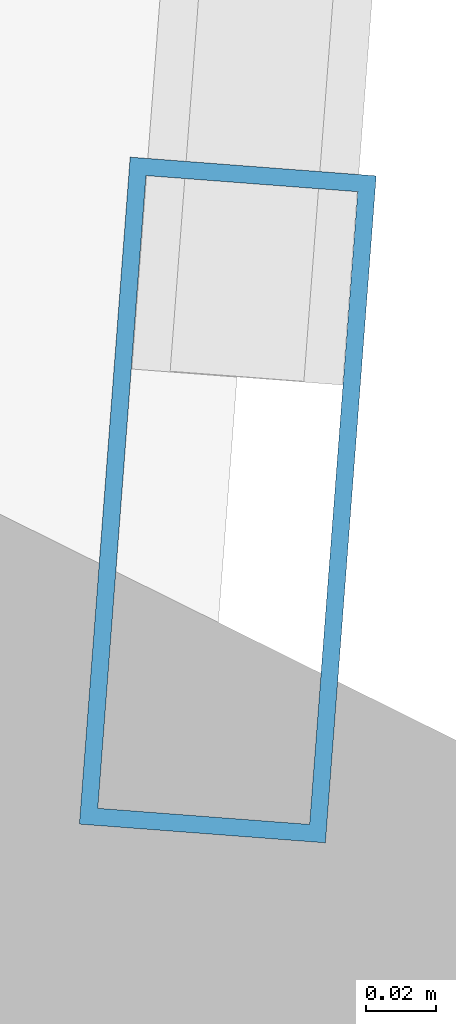
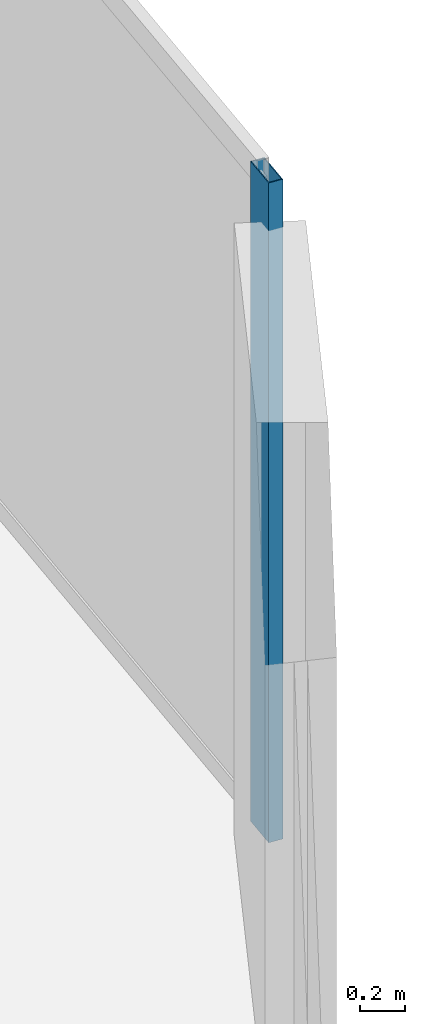
# One storey, part 12 of 25: 1 member, 1 element without a shape of its own.
"""IFC4 building model written with IfcOpenShell, lengths in metres."""

import ifcopenshell
import ifcopenshell.guid

model = None  # the IFC model being written
_history = None  # IfcOwnerHistory: only IFC2X3 demands one
_inside = {}  # id of a spatial element -> (the spatial element, [elements in it])
_under = {}  # id of a project, library or spatial element -> (it, [spatial elements below it])
_declared = {}  # id of a project -> (the project, [libraries it declares])
_typed = {}  # id of a type object -> (the type object, [elements of that type])
_made_of = {}  # id of a material, layer set ... -> (it, [elements and type objects made of it])


def new_model(schema):
    """Start an empty IFC model of exactly this schema.

    Asked for "IFC4X3", IfcOpenShell would pick the latest addendum, in which some entities
    have other attributes; the version numbers below select the first issue.
    IFC2X3 requires an IfcOwnerHistory on every rooted entity: one is made here for all.
    """
    global model, _history
    if schema == "IFC4X3":
        model = ifcopenshell.file(schema_version=(4, 3, 0, 0))
    else:
        model = ifcopenshell.file(schema=schema)
    _inside.clear()
    _under.clear()
    _declared.clear()
    _typed.clear()
    _made_of.clear()
    _history = None
    if model.schema == "IFC2X3":
        org = make("IfcOrganization", Name="unknown")
        user = make(
            "IfcPersonAndOrganization",
            ThePerson=make("IfcPerson", FamilyName="unknown"),
            TheOrganization=org,
        )
        app = make(
            "IfcApplication",
            ApplicationDeveloper=org,
            Version="unknown",
            ApplicationFullName="unknown",
            ApplicationIdentifier="unknown",
        )
        _history = make(
            "IfcOwnerHistory",
            OwningUser=user,
            OwningApplication=app,
            ChangeAction="ADDED",
            CreationDate=0,
        )
    return model


def make(cls, **values):
    """One entity of the class cls with the attributes given. An attribute that is None is left unset."""
    return model.create_entity(
        cls, **{name: value for name, value in values.items() if value is not None}
    )


def rooted(cls, **values):
    """An entity with a GlobalId (a new one), such as an element, a storey or a relation."""
    return make(cls, GlobalId=ifcopenshell.guid.new(), OwnerHistory=_history, **values)


def si_unit(unit_type, name, prefix=None):
    """IfcSIUnit, for example si_unit("LENGTHUNIT", "METRE", prefix="MILLI")."""
    return make("IfcSIUnit", UnitType=unit_type, Prefix=prefix, Name=name)


def assignment(units):
    """IfcUnitAssignment: the units of a project."""
    return None if units is None else make("IfcUnitAssignment", Units=units)


def point(xyz):
    """IfcCartesianPoint."""
    return None if xyz is None else make("IfcCartesianPoint", Coordinates=xyz)


def direction(xyz):
    """IfcDirection."""
    return None if xyz is None else make("IfcDirection", DirectionRatios=xyz)


def frame(location, z_axis=None, x_axis=None):
    """IfcAxis2Placement3D, a coordinate frame: its origin and axes. An axis left out is left unset."""
    return make(
        "IfcAxis2Placement3D",
        Location=point(location),
        Axis=direction(z_axis),
        RefDirection=direction(x_axis),
    )


def frame_2d(location, x_axis=None):
    """IfcAxis2Placement2D, a coordinate frame in the plane: its origin and x axis."""
    return make(
        "IfcAxis2Placement2D", Location=point(location), RefDirection=direction(x_axis)
    )


def origin():
    """The frame at (0, 0, 0) with its axes left unset."""
    return frame((0.0, 0.0, 0.0))


def origin_2d():
    """The frame at (0, 0) in the plane with its x axis left unset."""
    return frame_2d((0.0, 0.0))


def place(relative_to, where):
    """IfcLocalPlacement: puts the frame where relative to a parent placement (None: the world)."""
    return make(
        "IfcLocalPlacement", PlacementRelTo=relative_to, RelativePlacement=where
    )


def context(
    kind, dimensions, precision=None, world=None, true_north=None, identifier=None
):
    """IfcGeometricRepresentationContext, for example the 3D "Model" context."""
    return make(
        "IfcGeometricRepresentationContext",
        ContextIdentifier=identifier,
        ContextType=kind,
        CoordinateSpaceDimension=dimensions,
        Precision=precision,
        WorldCoordinateSystem=world,
        TrueNorth=true_north,
    )


def subcontext(parent, identifier, kind, view, scale=None):
    """IfcGeometricRepresentationSubContext, for example "Body" below "Model"."""
    return make(
        "IfcGeometricRepresentationSubContext",
        ContextIdentifier=identifier,
        ContextType=kind,
        ParentContext=parent,
        TargetScale=scale,
        TargetView=view,
    )


def project(units=None, contexts=None):
    """IfcProject with its units and contexts."""
    return rooted(
        "IfcProject",
        Name="project",
        RepresentationContexts=contexts,
        UnitsInContext=assignment(units),
    )


def spatial(cls, under=None, at=None, **own):
    """A site, building, storey or space (cls), placed at a placement, below another one or the project."""
    s = rooted(cls, ObjectPlacement=at, **own)
    if under is not None:
        _under.setdefault(under.id(), (under, []))[1].append(s)
    return s


def profile(cls, at=None, kind="AREA", **sizes):
    """A parametric profile (cls). Its sizes go by their IFC names, for example OverallWidth=200.0."""
    return make(cls, ProfileType=kind, Position=at, **sizes)


def hollow_rectangle(**sizes):
    """IfcRectangleHollowProfileDef."""
    return profile("IfcRectangleHollowProfileDef", **sizes)


def extrude(swept, where, along, depth):
    """IfcExtrudedAreaSolid: the profile swept, set in the frame where, extruded along a direction by depth."""
    return make(
        "IfcExtrudedAreaSolid",
        SweptArea=swept,
        Position=where,
        ExtrudedDirection=direction(along),
        Depth=depth,
    )


def shape(context_of_items, identifier, shape_type, items):
    """IfcShapeRepresentation: the items that make up one representation, for example the "Body"."""
    return make(
        "IfcShapeRepresentation",
        ContextOfItems=context_of_items,
        RepresentationIdentifier=identifier,
        RepresentationType=shape_type,
        Items=items,
    )


def source(mapping_origin, context_of_items, identifier, shape_type, items):
    """IfcRepresentationMap: a shape defined once, which mapped items show again and again."""
    return make(
        "IfcRepresentationMap",
        MappingOrigin=mapping_origin,
        MappedRepresentation=shape(context_of_items, identifier, shape_type, items),
    )


def transform(
    local_origin,
    x_axis=None,
    y_axis=None,
    z_axis=None,
    scale=None,
    scale2=None,
    scale3=None,
    uniform=True,
):
    """IfcCartesianTransformationOperator3D, or its non-uniform kind. x_axis, y_axis, z_axis: its Axis1, 2, 3."""
    if uniform:
        return make(
            "IfcCartesianTransformationOperator3D",
            Axis1=direction(x_axis),
            Axis2=direction(y_axis),
            LocalOrigin=point(local_origin),
            Scale=scale,
            Axis3=direction(z_axis),
        )
    return make(
        "IfcCartesianTransformationOperator3DnonUniform",
        Axis1=direction(x_axis),
        Axis2=direction(y_axis),
        LocalOrigin=point(local_origin),
        Scale=scale,
        Axis3=direction(z_axis),
        Scale2=scale2,
        Scale3=scale3,
    )


def mapped(mapping_source, mapping_target):
    """IfcMappedItem: shows the shape of a source again, moved by a transform."""
    return make(
        "IfcMappedItem", MappingSource=mapping_source, MappingTarget=mapping_target
    )


def material(Name=None, Category=None):
    """IfcMaterial."""
    return make("IfcMaterial", Name=Name, Category=Category)


def layer(
    of_material, thickness, ventilated=None, Name=None, Category=None, Priority=None
):
    """IfcMaterialLayer: one layer of a wall or slab, of a material (None: an air gap)."""
    return make(
        "IfcMaterialLayer",
        Material=of_material,
        LayerThickness=thickness,
        IsVentilated=ventilated,
        Name=Name,
        Category=Category,
        Priority=Priority,
    )


def layer_set(layers, Name=None):
    """IfcMaterialLayerSet."""
    return make("IfcMaterialLayerSet", MaterialLayers=layers, LayerSetName=Name)


def material_profile(
    of_material, cross_section, Name=None, Category=None, Priority=None
):
    """IfcMaterialProfile: a cross section and its material."""
    return make(
        "IfcMaterialProfile",
        Name=Name,
        Material=of_material,
        Profile=cross_section,
        Priority=Priority,
        Category=Category,
    )


def profile_set(profiles, Name=None, composite=None):
    """IfcMaterialProfileSet."""
    return make(
        "IfcMaterialProfileSet",
        Name=Name,
        MaterialProfiles=profiles,
        CompositeProfile=composite,
    )


def made_of(thing, what):
    """Note that an element or type object is made of a material, layer set ...; save() writes the relation."""
    if what is not None:
        _made_of.setdefault(what.id(), (what, []))[1].append(thing)
    return thing


def type_object(cls, material=None, **own):
    """A type object (cls), such as IfcWallType, which elements share."""
    return made_of(rooted(cls, **own), material)


def element(
    cls,
    number,
    at=None,
    inside=None,
    cuts=None,
    type_object=None,
    material=None,
    context=None,
    identifier="Body",
    shape_type=None,
    held_by="IfcProductDefinitionShape",
    body=None,
    shapes=None,
    **own,
):
    """One element of the class cls, such as IfcWall. Its Tag is "e" and its number.

    at: its placement. inside: the storey or other place that contains it. cuts: it is an
    opening in that element (IfcRelVoidsElement). A single representation is given by context,
    identifier, shape_type and body (its items); several are given by shapes. held_by: the class
    of the entity that holds the representations. save() writes the other relations.
    """
    e = rooted(cls, Tag="e%d" % number, ObjectPlacement=at, **own)
    if body is not None:
        shapes = [shape(context, identifier, shape_type, body)]
    if shapes is not None:
        e.Representation = make(held_by, Representations=shapes)
    if inside is not None:
        _inside.setdefault(inside.id(), (inside, []))[1].append(e)
    if cuts is not None:
        rooted(
            "IfcRelVoidsElement", RelatingBuildingElement=cuts, RelatedOpeningElement=e
        )
    if type_object is not None:
        _typed.setdefault(type_object.id(), (type_object, []))[1].append(e)
    return made_of(e, material)


def aggregate(whole, parts):
    """IfcRelAggregates: a whole, such as a stair, and the parts it consists of."""
    return rooted("IfcRelAggregates", RelatingObject=whole, RelatedObjects=parts)


def save(model, path):
    """Write the relations noted so far, then the file.

    IfcRelAggregates (storeys below a building ...), IfcRelContainedInSpatialStructure (elements
    in a storey), IfcRelDefinesByType, IfcRelAssociatesMaterial and IfcRelDeclares: one each for
    every whole, place, type object, material and project.
    """
    for whole, parts in _under.values():
        aggregate(whole, parts)
    for where, things in _inside.values():
        rooted(
            "IfcRelContainedInSpatialStructure",
            RelatedElements=things,
            RelatingStructure=where,
        )
    for kind, things in _typed.values():
        rooted("IfcRelDefinesByType", RelatedObjects=things, RelatingType=kind)
    for what, things in _made_of.values():
        rooted("IfcRelAssociatesMaterial", RelatedObjects=things, RelatingMaterial=what)
    for by, libraries in _declared.values():
        rooted("IfcRelDeclares", RelatingContext=by, RelatedDefinitions=libraries)
    model.write(path)


model = new_model("IFC4")

# Units and contexts
model_context = context("Model", 3, precision=1e-05, world=origin(), true_north=direction((0.0, 1.0)))
body_context = subcontext(model_context, "Body", "Model", "MODEL_VIEW")
ifc_project = project(units=[si_unit("LENGTHUNIT", "METRE"), si_unit("AREAUNIT", "SQUARE_METRE"), si_unit("VOLUMEUNIT", "CUBIC_METRE"), si_unit("PLANEANGLEUNIT", "RADIAN"), si_unit("MASSUNIT", "GRAM", prefix="KILO")], contexts=[model_context])

# Site, building, storey
site_placement = place(None, origin())
site = spatial("IfcSite", under=ifc_project, at=site_placement, CompositionType="ELEMENT")
building_placement = place(site_placement, origin())
building = spatial("IfcBuilding", under=site, at=building_placement, Name="Solvirekh Grand Hotel", CompositionType="ELEMENT")
storey_placement = place(building_placement, frame((0.0, 0.0, 60.800048828125)))
storey = spatial("IfcBuildingStorey", under=building, at=storey_placement, Name="L14", CompositionType="ELEMENT", Elevation=60.800048828125)

# Curtain wall, member
ifc_material = material(Name="Anodized Bronze Aluminium 6063-T6", Category="aluminium")
ifc_layer = layer(ifc_material, 0.18994140625)
ifc_layer_set = layer_set([ifc_layer], Name="Anodized Bronze Aluminium 6063-T6")
curtain_wall_type = type_object("IfcCurtainWallType", Name="CW_Sys2_LowZoneFlushBronzeCW", PredefinedType="NOTDEFINED", material=ifc_layer_set)
curtain_wall_placement = place(storey_placement, origin())
curtain_wall = element("IfcCurtainWall", 1, at=curtain_wall_placement, inside=storey, type_object=curtain_wall_type, Name="L14 unitised bronze-glass curtain wall CW-L14-C01", PredefinedType="NOTDEFINED")
ifc_material_profile = material_profile(ifc_material, hollow_rectangle(XDim=0.070068359375, YDim=0.18994140625, WallThickness=0.0048828125, at=origin_2d()), Name="ALU RHS 190X70X5")
ifc_profile_set = profile_set([ifc_material_profile], Name="Anodized Bronze Aluminium 6063-T6")
member_type = type_object("IfcMemberType", Name="CWMullion_Sys2", PredefinedType="MULLION", material=ifc_profile_set)
shared_shape = source(origin(), body_context, "Body", "SweptSolid", [
    extrude(hollow_rectangle(XDim=0.070068359375, YDim=0.18994140625, WallThickness=0.0048828125, at=origin_2d()), origin(), (0.0, 0.0, 1.0), 3.599853515625),
])
member_placement = place(storey_placement, frame((24.888671875, -7.1171875, 0.0), z_axis=(0.0, 0.0, 1.0), x_axis=(-0.997111956194, 0.075945683315, 0.0)))
member = element("IfcMember", 2, at=member_placement, type_object=member_type, Name="U02 mullion 1", PredefinedType="MULLION", context=body_context, shape_type="MappedRepresentation", body=[
    mapped(shared_shape, transform((0.0, 0.0, 0.0), x_axis=(1.0, 0.0, 0.0), y_axis=(0.0, 1.0, 0.0), z_axis=(0.0, 0.0, 1.0), scale=1.0)),
])
aggregate(curtain_wall, [member])

save(model, "model.ifc")
